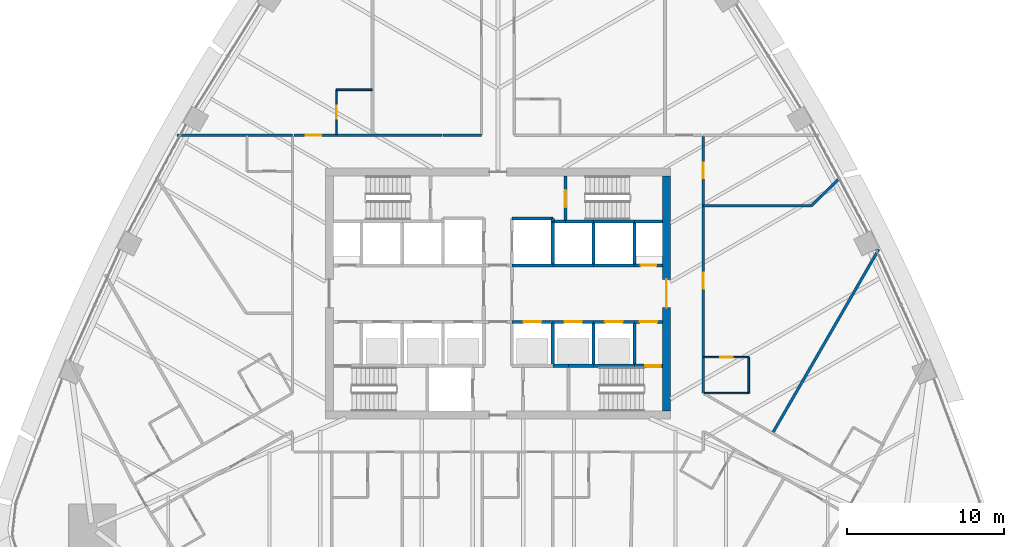
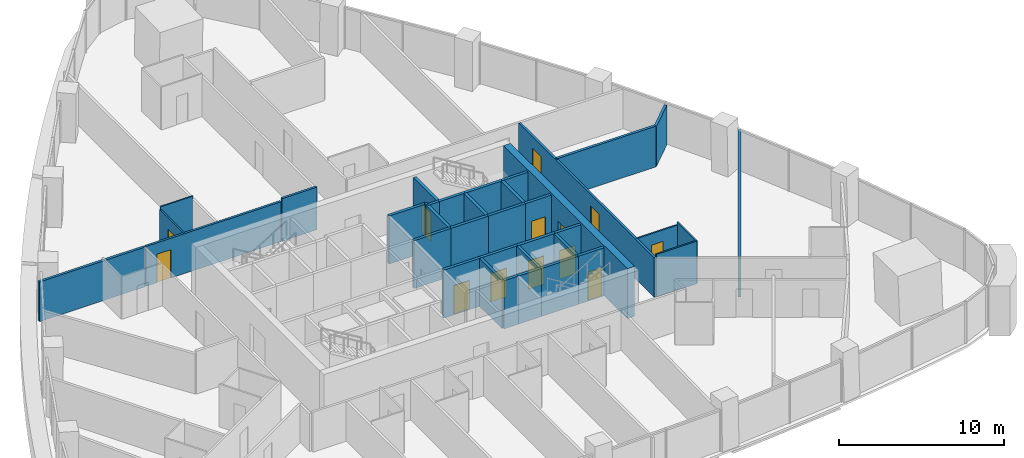
# One storey, part 12 of 17: 38 walls, 13 doors, 13 openings.
"""IFC4 building model written with IfcOpenShell, lengths in metres."""

from ifc_helpers import new_model, si_unit, direction, frame, frame_2d, origin, place, context, subcontext, project, spatial, rectangle, extrude, material, layer, layer_set, type_object, element, fill, save


model = new_model("IFC4")

# Units and contexts
model_context = context("Model", 3, precision=1e-05, world=origin(), true_north=direction((0.0, 1.0)))
body_context = subcontext(model_context, "Body", "Model", "MODEL_VIEW")
ifc_project = project(units=[si_unit("LENGTHUNIT", "METRE"), si_unit("AREAUNIT", "SQUARE_METRE"), si_unit("VOLUMEUNIT", "CUBIC_METRE"), si_unit("PLANEANGLEUNIT", "RADIAN"), si_unit("MASSUNIT", "GRAM", prefix="KILO")], contexts=[model_context])

# Site, building, storey
site_placement = place(None, origin())
site = spatial("IfcSite", under=ifc_project, at=site_placement, CompositionType="ELEMENT")
building_placement = place(site_placement, origin())
building = spatial("IfcBuilding", under=site, at=building_placement, Name="Sierra Prisma Convention Tower", CompositionType="ELEMENT")
storey_placement = place(building_placement, frame((0.0, 0.0, 92.39990234375)))
storey = spatial("IfcBuildingStorey", under=building, at=storey_placement, Name="L19", CompositionType="ELEMENT", Elevation=92.39990234375)

# Wall, opening, door
ifc_material_1 = material(Name="Gypsum board partition", Category="gypsum")
ifc_layer_1 = layer(ifc_material_1, 0.10009765625)
ifc_layer_set_1 = layer_set([ifc_layer_1], Name="Bathroom partition 100")
wall_type_1 = type_object("IfcWallType", Name="Bathroom partition 100", PredefinedType="PARTITIONING", material=ifc_layer_set_1)
wall_1_placement = place(storey_placement, frame((-10.300048828125, 10.1298828125, 0.0), z_axis=(0.0, 0.0, 1.0), x_axis=(0.0, 1.0, 0.0)))
wall_1 = element("IfcWall", 1, at=wall_1_placement, inside=storey, type_object=wall_type_1, Name="Partition L19 bath 12", PredefinedType="PARTITIONING", context=body_context, shape_type="SweptSolid", body=[
    extrude(rectangle(XDim=2.8701171875, YDim=0.10009765625, at=frame_2d((1.43505859375, 0.0))), origin(), (0.0, 0.0, 1.0), 2.947021484375),
])
opening_1_placement = place(wall_1_placement, frame((1.034912109375, 0.0, 0.0)))
opening_1 = element("IfcOpeningElement", 2, at=opening_1_placement, cuts=wall_1, Name="Opening L19-D003", PredefinedType="OPENING", context=body_context, shape_type="SweptSolid", body=[
    extrude(rectangle(XDim=0.800048828125, YDim=2.10009765625, at=frame_2d((0.39990234375, 1.050048828125))), frame((0.0, 0.050048828125, 0.0), z_axis=(0.0, -1.0, 0.0), x_axis=(1.0, 0.0, 0.0)), (0.0, 0.0, 1.0), 0.10009765625),
])
ifc_material_2 = material(Name="Solid core timber door leaf", Category="wood")
door_type_1 = type_object("IfcDoorType", Name="Door 800x2100 plain", OperationType="SINGLE_SWING_LEFT", PredefinedType="DOOR", material=ifc_material_2)
door_1_placement = place(opening_1_placement, origin())
door_1 = element("IfcDoor", 3, at=door_1_placement, inside=storey, type_object=door_type_1, Name="Door L19 8", OperationType="SINGLE_SWING_LEFT", OverallHeight=2.10009765625, OverallWidth=0.800048828125, PredefinedType="DOOR", context=body_context, shape_type="SweptSolid", body=[
    extrude(rectangle(XDim=0.800048828125, YDim=2.10009765625, at=frame_2d((0.39990234375, 1.050048828125))), frame((0.0, 0.02490234375, 0.0), z_axis=(0.0, -1.0, 0.0), x_axis=(1.0, 0.0, 0.0)), (0.0, 0.0, 1.0), 0.050048828125),
])
fill(opening_1, door_1)

# Wall
wall_2_placement = place(storey_placement, frame((-10.300048828125, 13.0, 0.0), z_axis=(0.0, 0.0, 1.0), x_axis=(1.0, 0.0, 0.0)))
element("IfcWall", 4, at=wall_2_placement, inside=storey, type_object=wall_type_1, Name="Partition L19 bath 13", PredefinedType="PARTITIONING", context=body_context, shape_type="SweptSolid", body=[
    extrude(rectangle(XDim=2.27001953125, YDim=0.10009765625, at=frame_2d((1.135009765625, 0.0))), origin(), (0.0, 0.0, 1.0), 3.150146484375),
])

# Wall, opening, door
wall_3_placement = place(storey_placement, frame((13.1298828125, -4.05078125, 0.0), z_axis=(0.0, 0.0, 1.0), x_axis=(1.0, 0.0, 0.0)))
wall_3 = element("IfcWall", 5, at=wall_3_placement, inside=storey, type_object=wall_type_1, Name="Partition L19 bath 28", PredefinedType="PARTITIONING", context=body_context, shape_type="SweptSolid", body=[
    extrude(rectangle(XDim=2.8701171875, YDim=0.10009765625, at=frame_2d((1.43505859375, 0.0))), origin(), (0.0, 0.0, 1.0), 2.947021484375),
])
opening_2_placement = place(wall_3_placement, frame((1.034912109375, 0.0, 0.0)))
opening_2 = element("IfcOpeningElement", 6, at=opening_2_placement, cuts=wall_3, Name="Opening L19-D014", PredefinedType="OPENING", context=body_context, shape_type="SweptSolid", body=[
    extrude(rectangle(XDim=0.800048828125, YDim=2.10009765625, at=frame_2d((0.39990234375, 1.050048828125))), frame((0.0, 0.050048828125, 0.0), z_axis=(0.0, -1.0, 0.0), x_axis=(1.0, 0.0, 0.0)), (0.0, 0.0, 1.0), 0.10009765625),
])
door_2_placement = place(opening_2_placement, origin())
door_2 = element("IfcDoor", 7, at=door_2_placement, inside=storey, type_object=door_type_1, Name="Door L19 33", OperationType="SINGLE_SWING_LEFT", OverallHeight=2.10009765625, OverallWidth=0.800048828125, PredefinedType="DOOR", context=body_context, shape_type="SweptSolid", body=[
    extrude(rectangle(XDim=0.800048828125, YDim=2.10009765625, at=frame_2d((0.39990234375, 1.050048828125))), frame((0.0, 0.02490234375, 0.0), z_axis=(0.0, -1.0, 0.0), x_axis=(1.0, 0.0, 0.0)), (0.0, 0.0, 1.0), 0.050048828125),
])
fill(opening_2, door_2)

# Walls
wall_4_placement = place(storey_placement, frame((16.0, -4.05078125, 0.0), z_axis=(0.0, 0.0, 1.0), x_axis=(0.0, -1.0, 0.0)))
element("IfcWall", 8, at=wall_4_placement, inside=storey, type_object=wall_type_1, Name="Partition L19 bath 29", PredefinedType="PARTITIONING", context=body_context, shape_type="SweptSolid", body=[
    extrude(rectangle(XDim=2.300048828125, YDim=0.10009765625, at=frame_2d((1.14990234375, 0.0))), origin(), (0.0, 0.0, 1.0), 3.150146484375),
])
wall_5_placement = place(storey_placement, frame((16.0, -6.350830078125, 0.0), z_axis=(0.0, 0.0, 1.0), x_axis=(-1.0, 0.0, 0.0)))
element("IfcWall", 9, at=wall_5_placement, inside=storey, type_object=wall_type_1, Name="Partition L19 bath 30", PredefinedType="PARTITIONING", context=body_context, shape_type="SweptSolid", body=[
    extrude(rectangle(XDim=2.840087890625, YDim=0.10009765625, at=frame_2d((1.419921875, 0.0))), origin(), (0.0, 0.0, 1.0), 3.150146484375),
])

# Wall, opening, door
ifc_material_3 = material(Name="Concrete C30/37", Category="concrete")
ifc_layer_2 = layer(ifc_material_3, 0.199951171875)
ifc_layer_set_2 = layer_set([ifc_layer_2], Name="Core wall RC 200 C30/37")
wall_type_2 = type_object("IfcWallType", Name="Core wall RC 200 C30/37", PredefinedType="SOLIDWALL", material=ifc_layer_set_2)
wall_6_placement = place(storey_placement, frame((0.89990234375, -1.800048828125, 0.0), z_axis=(0.0, 0.0, 1.0), x_axis=(1.0, 0.0, 0.0)))
wall_6 = element("IfcWall", 10, at=wall_6_placement, inside=storey, type_object=wall_type_2, Name="Core wall L19 35", PredefinedType="SOLIDWALL", context=body_context, shape_type="SweptSolid", body=[
    extrude(rectangle(XDim=2.60009765625, YDim=0.199951171875, at=frame_2d((1.300048828125, 0.0))), origin(), (0.0, 0.0, 1.0), 3.550048828125),
])
opening_3_placement = place(wall_6_placement, frame((0.75, 0.0, 0.0)))
opening_3 = element("IfcOpeningElement", 11, at=opening_3_placement, cuts=wall_6, Name="Opening L19-D018", PredefinedType="OPENING", context=body_context, shape_type="SweptSolid", body=[
    extrude(rectangle(XDim=1.10009765625, YDim=2.10009765625, at=frame_2d((0.550048828125, 1.050048828125))), frame((0.0, 0.10009765625, 0.0), z_axis=(0.0, -1.0, 0.0), x_axis=(1.0, 0.0, 0.0)), (0.0, 0.0, 1.0), 0.199951171875),
])
ifc_material_4 = material(Name="Steel fire door leaf", Category="steel")
door_type_2 = type_object("IfcDoorType", Name="Door 1100x2100 EI 90 sliding lift landing", OperationType="SLIDING_TO_LEFT", PredefinedType="DOOR", material=ifc_material_4)
door_3_placement = place(opening_3_placement, origin())
door_3 = element("IfcDoor", 12, at=door_3_placement, inside=storey, type_object=door_type_2, Name="Door L19 37", OperationType="SLIDING_TO_RIGHT", OverallHeight=2.10009765625, OverallWidth=1.10009765625, PredefinedType="DOOR", context=body_context, shape_type="SweptSolid", body=[
    extrude(rectangle(XDim=1.10009765625, YDim=2.10009765625, at=frame_2d((0.550048828125, 1.050048828125))), frame((0.0, 0.02490234375, 0.0), z_axis=(0.0, -1.0, 0.0), x_axis=(1.0, 0.0, 0.0)), (0.0, 0.0, 1.0), 0.050048828125),
])
fill(opening_3, door_3)

# Walls
wall_7_placement = place(storey_placement, frame((3.5, 1.800048828125, 0.0), z_axis=(0.0, 0.0, 1.0), x_axis=(-1.0, 0.0, 0.0)))
element("IfcWall", 13, at=wall_7_placement, inside=storey, type_object=wall_type_2, Name="Core wall L19 39", PredefinedType="SOLIDWALL", context=body_context, shape_type="SweptSolid", body=[
    extrude(rectangle(XDim=2.60009765625, YDim=0.199951171875, at=frame_2d((1.300048828125, 0.0))), origin(), (0.0, 0.0, 1.0), 3.550048828125),
])
wall_8_placement = place(storey_placement, frame((3.5, 4.60009765625, 0.0), z_axis=(0.0, 0.0, 1.0), x_axis=(0.0, 1.0, 0.0)))
element("IfcWall", 14, at=wall_8_placement, inside=storey, type_object=wall_type_2, Name="Core wall L19 40", PredefinedType="SOLIDWALL", context=body_context, shape_type="SweptSolid", body=[
    extrude(rectangle(XDim=0.199951171875, YDim=0.199951171875, at=frame_2d((0.10009765625, 0.0))), origin(), (0.0, 0.0, 1.0), 3.550048828125),
])
wall_9_placement = place(storey_placement, frame((3.5, 4.800048828125, 0.0), z_axis=(0.0, 0.0, 1.0), x_axis=(-1.0, 0.0, 0.0)))
element("IfcWall", 15, at=wall_9_placement, inside=storey, type_object=wall_type_2, Name="Core wall L19 41", PredefinedType="SOLIDWALL", context=body_context, shape_type="SweptSolid", body=[
    extrude(rectangle(XDim=2.60009765625, YDim=0.199951171875, at=frame_2d((1.300048828125, 0.0))), origin(), (0.0, 0.0, 1.0), 3.550048828125),
])
wall_10_placement = place(storey_placement, frame((4.5, -4.60009765625, 0.0), z_axis=(0.0, 0.0, 1.0), x_axis=(-1.0, 0.0, 0.0)))
element("IfcWall", 16, at=wall_10_placement, inside=storey, type_object=wall_type_2, Name="Core wall L19 45", PredefinedType="SOLIDWALL", context=body_context, shape_type="SweptSolid", body=[
    extrude(rectangle(XDim=1.0, YDim=0.199951171875, at=frame_2d((0.5, 0.0))), origin(), (0.0, 0.0, 1.0), 3.550048828125),
])
wall_11_placement = place(storey_placement, frame((3.5, -4.60009765625, 0.0), z_axis=(0.0, 0.0, 1.0), x_axis=(0.0, 1.0, 0.0)))
element("IfcWall", 17, at=wall_11_placement, inside=storey, type_object=wall_type_2, Name="Core wall L19 46", PredefinedType="SOLIDWALL", context=body_context, shape_type="SweptSolid", body=[
    extrude(rectangle(XDim=2.800048828125, YDim=0.199951171875, at=frame_2d((1.39990234375, 0.0))), origin(), (0.0, 0.0, 1.0), 3.550048828125),
])

# Wall, opening, door
wall_12_placement = place(storey_placement, frame((3.5, -1.800048828125, 0.0), z_axis=(0.0, 0.0, 1.0), x_axis=(1.0, 0.0, 0.0)))
wall_12 = element("IfcWall", 18, at=wall_12_placement, inside=storey, type_object=wall_type_2, Name="Core wall L19 47", PredefinedType="SOLIDWALL", context=body_context, shape_type="SweptSolid", body=[
    extrude(rectangle(XDim=2.60009765625, YDim=0.199951171875, at=frame_2d((1.300048828125, 0.0))), origin(), (0.0, 0.0, 1.0), 3.550048828125),
])
opening_4_placement = place(wall_12_placement, frame((0.75, 0.0, 0.0)))
opening_4 = element("IfcOpeningElement", 19, at=opening_4_placement, cuts=wall_12, Name="Opening L19-D019", PredefinedType="OPENING", context=body_context, shape_type="SweptSolid", body=[
    extrude(rectangle(XDim=1.10009765625, YDim=2.10009765625, at=frame_2d((0.550048828125, 1.050048828125))), frame((0.0, 0.10009765625, 0.0), z_axis=(0.0, -1.0, 0.0), x_axis=(1.0, 0.0, 0.0)), (0.0, 0.0, 1.0), 0.199951171875),
])
door_4_placement = place(opening_4_placement, origin())
door_4 = element("IfcDoor", 20, at=door_4_placement, inside=storey, type_object=door_type_2, Name="Door L19 38", OperationType="SLIDING_TO_RIGHT", OverallHeight=2.10009765625, OverallWidth=1.10009765625, PredefinedType="DOOR", context=body_context, shape_type="SweptSolid", body=[
    extrude(rectangle(XDim=1.10009765625, YDim=2.10009765625, at=frame_2d((0.550048828125, 1.050048828125))), frame((0.0, 0.02490234375, 0.0), z_axis=(0.0, -1.0, 0.0), x_axis=(1.0, 0.0, 0.0)), (0.0, 0.0, 1.0), 0.050048828125),
])
fill(opening_4, door_4)

# Walls
wall_13_placement = place(storey_placement, frame((6.10009765625, 1.800048828125, 0.0), z_axis=(0.0, 0.0, 1.0), x_axis=(-1.0, 0.0, 0.0)))
element("IfcWall", 21, at=wall_13_placement, inside=storey, type_object=wall_type_2, Name="Core wall L19 48", PredefinedType="SOLIDWALL", context=body_context, shape_type="SweptSolid", body=[
    extrude(rectangle(XDim=2.60009765625, YDim=0.199951171875, at=frame_2d((1.300048828125, 0.0))), origin(), (0.0, 0.0, 1.0), 3.550048828125),
])
wall_14_placement = place(storey_placement, frame((3.5, 1.800048828125, 0.0), z_axis=(0.0, 0.0, 1.0), x_axis=(0.0, 1.0, 0.0)))
element("IfcWall", 22, at=wall_14_placement, inside=storey, type_object=wall_type_2, Name="Core wall L19 49", PredefinedType="SOLIDWALL", context=body_context, shape_type="SweptSolid", body=[
    extrude(rectangle(XDim=2.800048828125, YDim=0.199951171875, at=frame_2d((1.39990234375, 0.0))), origin(), (0.0, 0.0, 1.0), 3.550048828125),
])
wall_15_placement = place(storey_placement, frame((4.300048828125, 4.60009765625, 0.0), z_axis=(0.0, 0.0, 1.0), x_axis=(-1.0, 0.0, 0.0)))
element("IfcWall", 23, at=wall_15_placement, inside=storey, type_object=wall_type_2, Name="Core wall L19 50", PredefinedType="SOLIDWALL", context=body_context, shape_type="SweptSolid", body=[
    extrude(rectangle(XDim=0.800048828125, YDim=0.199951171875, at=frame_2d((0.39990234375, 0.0))), origin(), (0.0, 0.0, 1.0), 3.550048828125),
])
wall_16_placement = place(storey_placement, frame((6.10009765625, 4.60009765625, 0.0), z_axis=(0.0, 0.0, 1.0), x_axis=(-1.0, 0.0, 0.0)))
element("IfcWall", 24, at=wall_16_placement, inside=storey, type_object=wall_type_2, Name="Core wall L19 51", PredefinedType="SOLIDWALL", context=body_context, shape_type="SweptSolid", body=[
    extrude(rectangle(XDim=1.800048828125, YDim=0.199951171875, at=frame_2d((0.89990234375, 0.0))), origin(), (0.0, 0.0, 1.0), 3.550048828125),
])

# Wall, opening, door
wall_17_placement = place(storey_placement, frame((4.300048828125, 7.5, 0.0), z_axis=(0.0, 0.0, 1.0), x_axis=(0.0, -1.0, 0.0)))
wall_17 = element("IfcWall", 25, at=wall_17_placement, inside=storey, type_object=wall_type_2, Name="Core wall L19 52", PredefinedType="SOLIDWALL", context=body_context, shape_type="SweptSolid", body=[
    extrude(rectangle(XDim=2.89990234375, YDim=0.199951171875, at=frame_2d((1.449951171875, 0.0))), origin(), (0.0, 0.0, 1.0), 3.550048828125),
])
opening_5_placement = place(wall_17_placement, frame((0.89990234375, 0.0, 0.0)))
opening_5 = element("IfcOpeningElement", 26, at=opening_5_placement, cuts=wall_17, Name="Opening L19-D035", PredefinedType="OPENING", context=body_context, shape_type="SweptSolid", body=[
    extrude(rectangle(XDim=1.10009765625, YDim=2.10009765625, at=frame_2d((0.550048828125, 1.050048828125))), frame((0.0, 0.10009765625, 0.0), z_axis=(0.0, -1.0, 0.0), x_axis=(1.0, 0.0, 0.0)), (0.0, 0.0, 1.0), 0.199951171875),
])
ifc_material_5 = material(Name="Steel fire door leaf", Category="steel")
door_type_3 = type_object("IfcDoorType", Name="Door 1100x2100 FD90S", OperationType="SINGLE_SWING_LEFT", PredefinedType="DOOR", material=ifc_material_5)
door_5_placement = place(opening_5_placement, origin())
door_5 = element("IfcDoor", 27, at=door_5_placement, inside=storey, type_object=door_type_3, Name="Door L19 54", OperationType="SINGLE_SWING_LEFT", OverallHeight=2.10009765625, OverallWidth=1.10009765625, PredefinedType="DOOR", context=body_context, shape_type="SweptSolid", body=[
    extrude(rectangle(XDim=1.10009765625, YDim=2.10009765625, at=frame_2d((0.550048828125, 1.050048828125))), frame((0.0, 0.02490234375, 0.0), z_axis=(0.0, -1.0, 0.0), x_axis=(1.0, 0.0, 0.0)), (0.0, 0.0, 1.0), 0.050048828125),
])
fill(opening_5, door_5)

# Walls
wall_18_placement = place(storey_placement, frame((4.5, -4.60009765625, 0.0), z_axis=(0.0, 0.0, 1.0), x_axis=(1.0, 0.0, 0.0)))
element("IfcWall", 28, at=wall_18_placement, inside=storey, type_object=wall_type_2, Name="Core wall L19 54", PredefinedType="SOLIDWALL", context=body_context, shape_type="SweptSolid", body=[
    extrude(rectangle(XDim=1.60009765625, YDim=0.199951171875, at=frame_2d((0.800048828125, 0.0))), origin(), (0.0, 0.0, 1.0), 3.550048828125),
])
wall_19_placement = place(storey_placement, frame((6.10009765625, -4.60009765625, 0.0), z_axis=(0.0, 0.0, 1.0), x_axis=(1.0, 0.0, 0.0)))
element("IfcWall", 29, at=wall_19_placement, inside=storey, type_object=wall_type_2, Name="Core wall L19 55", PredefinedType="SOLIDWALL", context=body_context, shape_type="SweptSolid", body=[
    extrude(rectangle(XDim=2.599853515625, YDim=0.199951171875, at=frame_2d((1.2998046875, 0.0))), origin(), (0.0, 0.0, 1.0), 3.550048828125),
])
wall_20_placement = place(storey_placement, frame((6.10009765625, -4.60009765625, 0.0), z_axis=(0.0, 0.0, 1.0), x_axis=(0.0, 1.0, 0.0)))
element("IfcWall", 30, at=wall_20_placement, inside=storey, type_object=wall_type_2, Name="Core wall L19 56", PredefinedType="SOLIDWALL", context=body_context, shape_type="SweptSolid", body=[
    extrude(rectangle(XDim=2.800048828125, YDim=0.199951171875, at=frame_2d((1.39990234375, 0.0))), origin(), (0.0, 0.0, 1.0), 3.550048828125),
])

# Wall, opening, door
wall_21_placement = place(storey_placement, frame((6.10009765625, -1.800048828125, 0.0), z_axis=(0.0, 0.0, 1.0), x_axis=(1.0, 0.0, 0.0)))
wall_21 = element("IfcWall", 31, at=wall_21_placement, inside=storey, type_object=wall_type_2, Name="Core wall L19 57", PredefinedType="SOLIDWALL", context=body_context, shape_type="SweptSolid", body=[
    extrude(rectangle(XDim=2.599853515625, YDim=0.199951171875, at=frame_2d((1.2998046875, 0.0))), origin(), (0.0, 0.0, 1.0), 3.550048828125),
])
opening_6_placement = place(wall_21_placement, frame((0.75, 0.0, 0.0)))
opening_6 = element("IfcOpeningElement", 32, at=opening_6_placement, cuts=wall_21, Name="Opening L19-D020", PredefinedType="OPENING", context=body_context, shape_type="SweptSolid", body=[
    extrude(rectangle(XDim=1.10009765625, YDim=2.10009765625, at=frame_2d((0.550048828125, 1.050048828125))), frame((0.0, 0.10009765625, 0.0), z_axis=(0.0, -1.0, 0.0), x_axis=(1.0, 0.0, 0.0)), (0.0, 0.0, 1.0), 0.199951171875),
])
door_6_placement = place(opening_6_placement, origin())
door_6 = element("IfcDoor", 33, at=door_6_placement, inside=storey, type_object=door_type_2, Name="Door L19 39", OperationType="SLIDING_TO_LEFT", OverallHeight=2.10009765625, OverallWidth=1.10009765625, PredefinedType="DOOR", context=body_context, shape_type="SweptSolid", body=[
    extrude(rectangle(XDim=1.10009765625, YDim=2.10009765625, at=frame_2d((0.550048828125, 1.050048828125))), frame((0.0, 0.02490234375, 0.0), z_axis=(0.0, -1.0, 0.0), x_axis=(1.0, 0.0, 0.0)), (0.0, 0.0, 1.0), 0.050048828125),
])
fill(opening_6, door_6)

# Walls
wall_22_placement = place(storey_placement, frame((8.699951171875, 1.800048828125, 0.0), z_axis=(0.0, 0.0, 1.0), x_axis=(-1.0, 0.0, 0.0)))
element("IfcWall", 34, at=wall_22_placement, inside=storey, type_object=wall_type_2, Name="Core wall L19 58", PredefinedType="SOLIDWALL", context=body_context, shape_type="SweptSolid", body=[
    extrude(rectangle(XDim=2.599853515625, YDim=0.199951171875, at=frame_2d((1.2998046875, 0.0))), origin(), (0.0, 0.0, 1.0), 3.550048828125),
])
wall_23_placement = place(storey_placement, frame((6.10009765625, 1.800048828125, 0.0), z_axis=(0.0, 0.0, 1.0), x_axis=(0.0, 1.0, 0.0)))
element("IfcWall", 35, at=wall_23_placement, inside=storey, type_object=wall_type_2, Name="Core wall L19 59", PredefinedType="SOLIDWALL", context=body_context, shape_type="SweptSolid", body=[
    extrude(rectangle(XDim=2.800048828125, YDim=0.199951171875, at=frame_2d((1.39990234375, 0.0))), origin(), (0.0, 0.0, 1.0), 3.550048828125),
])
wall_24_placement = place(storey_placement, frame((8.699951171875, 4.60009765625, 0.0), z_axis=(0.0, 0.0, 1.0), x_axis=(-1.0, 0.0, 0.0)))
element("IfcWall", 36, at=wall_24_placement, inside=storey, type_object=wall_type_2, Name="Core wall L19 60", PredefinedType="SOLIDWALL", context=body_context, shape_type="SweptSolid", body=[
    extrude(rectangle(XDim=2.599853515625, YDim=0.199951171875, at=frame_2d((1.2998046875, 0.0))), origin(), (0.0, 0.0, 1.0), 3.550048828125),
])

# Wall, opening, door
wall_25_placement = place(storey_placement, frame((8.699951171875, -4.60009765625, 0.0), z_axis=(0.0, 0.0, 1.0), x_axis=(1.0, 0.0, 0.0)))
wall_25 = element("IfcWall", 37, at=wall_25_placement, inside=storey, type_object=wall_type_2, Name="Core wall L19 61", PredefinedType="SOLIDWALL", context=body_context, shape_type="SweptSolid", body=[
    extrude(rectangle(XDim=1.800048828125, YDim=0.199951171875, at=frame_2d((0.89990234375, 0.0))), origin(), (0.0, 0.0, 1.0), 3.550048828125),
])
opening_7_placement = place(wall_25_placement, frame((0.699951171875, 0.0, 0.0)))
opening_7 = element("IfcOpeningElement", 38, at=opening_7_placement, cuts=wall_25, Name="Opening L19-D033", PredefinedType="OPENING", context=body_context, shape_type="SweptSolid", body=[
    extrude(rectangle(XDim=1.0, YDim=2.10009765625, at=frame_2d((0.5, 1.050048828125))), frame((0.0, 0.10009765625, 0.0), z_axis=(0.0, -1.0, 0.0), x_axis=(1.0, 0.0, 0.0)), (0.0, 0.0, 1.0), 0.199951171875),
])
ifc_material_6 = material(Name="Steel fire door leaf", Category="steel")
door_type_4 = type_object("IfcDoorType", Name="Door 1000x2100 FD90S", OperationType="SINGLE_SWING_LEFT", PredefinedType="DOOR", material=ifc_material_6)
door_7_placement = place(opening_7_placement, origin())
door_7 = element("IfcDoor", 39, at=door_7_placement, inside=storey, type_object=door_type_4, Name="Door L19 52", OperationType="SINGLE_SWING_RIGHT", OverallHeight=2.10009765625, OverallWidth=1.0, PredefinedType="DOOR", context=body_context, shape_type="SweptSolid", body=[
    extrude(rectangle(XDim=1.0, YDim=2.10009765625, at=frame_2d((0.5, 1.050048828125))), frame((0.0, 0.02490234375, 0.0), z_axis=(0.0, -1.0, 0.0), x_axis=(1.0, 0.0, 0.0)), (0.0, 0.0, 1.0), 0.050048828125),
])
fill(opening_7, door_7)

# Wall
wall_26_placement = place(storey_placement, frame((8.699951171875, -1.800048828125, 0.0), z_axis=(0.0, 0.0, 1.0), x_axis=(0.0, -1.0, 0.0)))
element("IfcWall", 40, at=wall_26_placement, inside=storey, type_object=wall_type_2, Name="Core wall L19 62", PredefinedType="SOLIDWALL", context=body_context, shape_type="SweptSolid", body=[
    extrude(rectangle(XDim=2.800048828125, YDim=0.199951171875, at=frame_2d((1.39990234375, 0.0))), origin(), (0.0, 0.0, 1.0), 3.550048828125),
])

# Wall, opening, door
wall_27_placement = place(storey_placement, frame((8.699951171875, -1.800048828125, 0.0), z_axis=(0.0, 0.0, 1.0), x_axis=(1.0, 0.0, 0.0)))
wall_27 = element("IfcWall", 41, at=wall_27_placement, inside=storey, type_object=wall_type_2, Name="Core wall L19 63", PredefinedType="SOLIDWALL", context=body_context, shape_type="SweptSolid", body=[
    extrude(rectangle(XDim=1.800048828125, YDim=0.199951171875, at=frame_2d((0.89990234375, 0.0))), origin(), (0.0, 0.0, 1.0), 3.550048828125),
])
opening_8_placement = place(wall_27_placement, frame((0.35009765625, 0.0, 0.0)))
opening_8 = element("IfcOpeningElement", 42, at=opening_8_placement, cuts=wall_27, Name="Opening L19-D027", PredefinedType="OPENING", context=body_context, shape_type="SweptSolid", body=[
    extrude(rectangle(XDim=1.10009765625, YDim=2.10009765625, at=frame_2d((0.550048828125, 1.050048828125))), frame((0.0, 0.10009765625, 0.0), z_axis=(0.0, -1.0, 0.0), x_axis=(1.0, 0.0, 0.0)), (0.0, 0.0, 1.0), 0.199951171875),
])
door_8_placement = place(opening_8_placement, origin())
door_8 = element("IfcDoor", 43, at=door_8_placement, inside=storey, type_object=door_type_3, Name="Door L19 46", OperationType="SINGLE_SWING_RIGHT", OverallHeight=2.10009765625, OverallWidth=1.10009765625, PredefinedType="DOOR", context=body_context, shape_type="SweptSolid", body=[
    extrude(rectangle(XDim=1.10009765625, YDim=2.10009765625, at=frame_2d((0.550048828125, 1.050048828125))), frame((0.0, 0.02490234375, 0.0), z_axis=(0.0, -1.0, 0.0), x_axis=(1.0, 0.0, 0.0)), (0.0, 0.0, 1.0), 0.050048828125),
])
fill(opening_8, door_8)

wall_28_placement = place(storey_placement, frame((10.5, 1.800048828125, 0.0), z_axis=(0.0, 0.0, 1.0), x_axis=(-1.0, 0.0, 0.0)))
wall_28 = element("IfcWall", 44, at=wall_28_placement, inside=storey, type_object=wall_type_2, Name="Core wall L19 64", PredefinedType="SOLIDWALL", context=body_context, shape_type="SweptSolid", body=[
    extrude(rectangle(XDim=1.800048828125, YDim=0.199951171875, at=frame_2d((0.89990234375, 0.0))), origin(), (0.0, 0.0, 1.0), 3.550048828125),
])
opening_9_placement = place(wall_28_placement, frame((0.39990234375, 0.0, 0.0)))
opening_9 = element("IfcOpeningElement", 45, at=opening_9_placement, cuts=wall_28, Name="Opening L19-D031", PredefinedType="OPENING", context=body_context, shape_type="SweptSolid", body=[
    extrude(rectangle(XDim=1.0, YDim=2.10009765625, at=frame_2d((0.5, 1.050048828125))), frame((0.0, 0.10009765625, 0.0), z_axis=(0.0, -1.0, 0.0), x_axis=(1.0, 0.0, 0.0)), (0.0, 0.0, 1.0), 0.199951171875),
])
ifc_material_7 = material(Name="Steel fire door leaf", Category="steel")
door_type_5 = type_object("IfcDoorType", Name="Door 1000x2100 FD60S", OperationType="SINGLE_SWING_LEFT", PredefinedType="DOOR", material=ifc_material_7)
door_9_placement = place(opening_9_placement, origin())
door_9 = element("IfcDoor", 46, at=door_9_placement, inside=storey, type_object=door_type_5, Name="Door L19 50", OperationType="SINGLE_SWING_RIGHT", OverallHeight=2.10009765625, OverallWidth=1.0, PredefinedType="DOOR", context=body_context, shape_type="SweptSolid", body=[
    extrude(rectangle(XDim=1.0, YDim=2.10009765625, at=frame_2d((0.5, 1.050048828125))), frame((0.0, 0.02490234375, 0.0), z_axis=(0.0, -1.0, 0.0), x_axis=(1.0, 0.0, 0.0)), (0.0, 0.0, 1.0), 0.050048828125),
])
fill(opening_9, door_9)

# Walls
wall_29_placement = place(storey_placement, frame((8.699951171875, 4.60009765625, 0.0), z_axis=(0.0, 0.0, 1.0), x_axis=(0.0, -1.0, 0.0)))
element("IfcWall", 47, at=wall_29_placement, inside=storey, type_object=wall_type_2, Name="Core wall L19 65", PredefinedType="SOLIDWALL", context=body_context, shape_type="SweptSolid", body=[
    extrude(rectangle(XDim=2.800048828125, YDim=0.199951171875, at=frame_2d((1.39990234375, 0.0))), origin(), (0.0, 0.0, 1.0), 3.550048828125),
])
wall_30_placement = place(storey_placement, frame((10.5, 4.60009765625, 0.0), z_axis=(0.0, 0.0, 1.0), x_axis=(-1.0, 0.0, 0.0)))
element("IfcWall", 48, at=wall_30_placement, inside=storey, type_object=wall_type_2, Name="Core wall L19 66", PredefinedType="SOLIDWALL", context=body_context, shape_type="SweptSolid", body=[
    extrude(rectangle(XDim=1.800048828125, YDim=0.199951171875, at=frame_2d((0.89990234375, 0.0))), origin(), (0.0, 0.0, 1.0), 3.550048828125),
])

# Wall, opening, door
ifc_material_8 = material(Name="Concrete C60/75", Category="concrete")
ifc_layer_3 = layer(ifc_material_8, 0.5)
ifc_layer_set_3 = layer_set([ifc_layer_3], Name="Core wall RC 500 C60/75")
wall_type_3 = type_object("IfcWallType", Name="Core wall RC 500 C60/75", PredefinedType="SHEAR", material=ifc_layer_set_3)
wall_31_placement = place(storey_placement, frame((10.75, -7.5, 0.0), z_axis=(0.0, 0.0, 1.0), x_axis=(0.0, 1.0, 0.0)))
wall_31 = element("IfcWall", 49, at=wall_31_placement, inside=storey, type_object=wall_type_3, Name="Core wall E L19", PredefinedType="SHEAR", context=body_context, shape_type="SweptSolid", body=[
    extrude(rectangle(XDim=15.0, YDim=0.5, at=frame_2d((7.5, 0.0))), origin(), (0.0, 0.0, 1.0), 3.7001953125),
])
opening_10_placement = place(wall_31_placement, frame((6.60009765625, 0.0, 0.0)))
opening_10 = element("IfcOpeningElement", 50, at=opening_10_placement, cuts=wall_31, Name="Opening L19-D056", PredefinedType="OPENING", context=body_context, shape_type="SweptSolid", body=[
    extrude(rectangle(XDim=1.800048828125, YDim=2.10009765625, at=frame_2d((0.89990234375, 1.050048828125))), frame((0.0, 0.25, 0.0), z_axis=(0.0, -1.0, 0.0), x_axis=(1.0, 0.0, 0.0)), (0.0, 0.0, 1.0), 0.5),
])
ifc_material_9 = material(Name="Steel fire door leaf", Category="steel")
door_type_6 = type_object("IfcDoorType", Name="Door 1800x2100 FD60S", OperationType="DOUBLE_DOOR_SINGLE_SWING", PredefinedType="DOOR", material=ifc_material_9)
door_10_placement = place(opening_10_placement, origin())
door_10 = element("IfcDoor", 51, at=door_10_placement, inside=storey, type_object=door_type_6, Name="Door L19 57", OperationType="DOUBLE_DOOR_SINGLE_SWING", OverallHeight=2.10009765625, OverallWidth=1.800048828125, PredefinedType="DOOR", context=body_context, shape_type="SweptSolid", body=[
    extrude(rectangle(XDim=1.800048828125, YDim=2.10009765625, at=frame_2d((0.89990234375, 1.050048828125))), frame((0.0, 0.02490234375, 0.0), z_axis=(0.0, -1.0, 0.0), x_axis=(1.0, 0.0, 0.0)), (0.0, 0.0, 1.0), 0.050048828125),
])
fill(opening_10, door_10)

ifc_material_10 = material(Name="Gypsum board partition", Category="gypsum")
ifc_layer_4 = layer(ifc_material_10, 0.14990234375)
ifc_layer_set_4 = layer_set([ifc_layer_4], Name="Corridor wall 150 gypsum EI 60")
wall_type_4 = type_object("IfcWallType", Name="Corridor wall 150 gypsum EI 60", PredefinedType="PARTITIONING", material=ifc_layer_set_4)
wall_32_placement = place(storey_placement, frame((-3.580078125, 10.10009765625, 0.0), z_axis=(0.0, 0.0, 1.0), x_axis=(-1.0, 0.0, 0.0)))
wall_32 = element("IfcWall", 52, at=wall_32_placement, inside=storey, type_object=wall_type_4, Name="Partition L19 corr 7", PredefinedType="PARTITIONING", context=body_context, shape_type="SweptSolid", body=[
    extrude(rectangle(XDim=9.43994140625, YDim=0.14990234375, at=frame_2d((4.719970703125, 0.0))), origin(), (0.0, 0.0, 1.0), 2.947021484375),
])
opening_11_placement = place(wall_32_placement, frame((7.679931640625, 0.0, 0.0)))
opening_11 = element("IfcOpeningElement", 53, at=opening_11_placement, cuts=wall_32, Name="Opening L19-D041", PredefinedType="OPENING", context=body_context, shape_type="SweptSolid", body=[
    extrude(rectangle(XDim=1.0, YDim=2.10009765625, at=frame_2d((0.5, 1.050048828125))), frame((0.0, 0.074951171875, 0.0), z_axis=(0.0, -1.0, 0.0), x_axis=(1.0, 0.0, 0.0)), (0.0, 0.0, 1.0), 0.14990234375),
])
ifc_material_11 = material(Name="Steel fire door leaf", Category="steel")
door_type_7 = type_object("IfcDoorType", Name="Door 1000x2100 FD30S", OperationType="SINGLE_SWING_LEFT", PredefinedType="DOOR", material=ifc_material_11)
door_11_placement = place(opening_11_placement, origin())
door_11 = element("IfcDoor", 54, at=door_11_placement, inside=storey, type_object=door_type_7, Name="Door L19 7", OperationType="SINGLE_SWING_RIGHT", OverallHeight=2.10009765625, OverallWidth=1.0, PredefinedType="DOOR", context=body_context, shape_type="SweptSolid", body=[
    extrude(rectangle(XDim=1.0, YDim=2.10009765625, at=frame_2d((0.5, 1.050048828125))), frame((0.0, 0.02490234375, 0.0), z_axis=(0.0, -1.0, 0.0), x_axis=(1.0, 0.0, 0.0)), (0.0, 0.0, 1.0), 0.050048828125),
])
fill(opening_11, door_11)

# Wall
wall_33_placement = place(storey_placement, frame((-1.050048828125, 10.10009765625, 0.0), z_axis=(0.0, 0.0, 1.0), x_axis=(-1.0, 0.0, 0.0)))
element("IfcWall", 55, at=wall_33_placement, inside=storey, type_object=wall_type_4, Name="Partition L19 corr 9", PredefinedType="PARTITIONING", context=body_context, shape_type="SweptSolid", body=[
    extrude(rectangle(XDim=2.449951171875, YDim=0.14990234375, at=frame_2d((1.22509765625, 0.0))), origin(), (0.0, 0.0, 1.0), 3.150146484375),
])

# Wall, openings, doors
wall_34_placement = place(storey_placement, frame((13.10009765625, -6.350830078125, 0.0), z_axis=(0.0, 0.0, 1.0), x_axis=(0.0, 1.0, 0.0)))
wall_34 = element("IfcWall", 56, at=wall_34_placement, inside=storey, type_object=wall_type_4, Name="Partition L19 corr 16", PredefinedType="PARTITIONING", context=body_context, shape_type="SweptSolid", body=[
    extrude(rectangle(XDim=16.370849609375, YDim=0.14990234375, at=frame_2d((8.185546875, 0.0))), origin(), (0.0, 0.0, 1.0), 2.947021484375),
])
opening_12_placement = place(wall_34_placement, frame((13.700927734375, 0.0, 0.0)))
opening_12 = element("IfcOpeningElement", 57, at=opening_12_placement, cuts=wall_34, Name="Opening L19-D037", PredefinedType="OPENING", context=body_context, shape_type="SweptSolid", body=[
    extrude(rectangle(XDim=1.0, YDim=2.10009765625, at=frame_2d((0.5, 1.050048828125))), frame((0.0, 0.074951171875, 0.0), z_axis=(0.0, -1.0, 0.0), x_axis=(1.0, 0.0, 0.0)), (0.0, 0.0, 1.0), 0.14990234375),
])
opening_13_placement = place(wall_34_placement, frame((6.675537109375, 0.0, 0.0)))
opening_13 = element("IfcOpeningElement", 58, at=opening_13_placement, cuts=wall_34, Name="Opening L19-D055", PredefinedType="OPENING", context=body_context, shape_type="SweptSolid", body=[
    extrude(rectangle(XDim=1.0, YDim=2.10009765625, at=frame_2d((0.5, 1.050048828125))), frame((0.0, 0.074951171875, 0.0), z_axis=(0.0, -1.0, 0.0), x_axis=(1.0, 0.0, 0.0)), (0.0, 0.0, 1.0), 0.14990234375),
])
door_12_placement = place(opening_12_placement, origin())
door_12 = element("IfcDoor", 59, at=door_12_placement, inside=storey, type_object=door_type_7, Name="Door L19 1", OperationType="SINGLE_SWING_RIGHT", OverallHeight=2.10009765625, OverallWidth=1.0, PredefinedType="DOOR", context=body_context, shape_type="SweptSolid", body=[
    extrude(rectangle(XDim=1.0, YDim=2.10009765625, at=frame_2d((0.5, 1.050048828125))), frame((0.0, 0.02490234375, 0.0), z_axis=(0.0, -1.0, 0.0), x_axis=(1.0, 0.0, 0.0)), (0.0, 0.0, 1.0), 0.050048828125),
])
fill(opening_12, door_12)
door_13_placement = place(opening_13_placement, origin())
door_13 = element("IfcDoor", 60, at=door_13_placement, inside=storey, type_object=door_type_7, Name="Door L19 32", OperationType="SINGLE_SWING_LEFT", OverallHeight=2.10009765625, OverallWidth=1.0, PredefinedType="DOOR", context=body_context, shape_type="SweptSolid", body=[
    extrude(rectangle(XDim=1.0, YDim=2.10009765625, at=frame_2d((0.5, 1.050048828125))), frame((0.0, 0.02490234375, 0.0), z_axis=(0.0, -1.0, 0.0), x_axis=(1.0, 0.0, 0.0)), (0.0, 0.0, 1.0), 0.050048828125),
])
fill(opening_13, door_13)

# Walls
ifc_material_12 = material(Name="Acoustic gypsum board partition", Category="gypsum")
ifc_layer_5 = layer(ifc_material_12, 0.175048828125)
ifc_layer_set_5 = layer_set([ifc_layer_5], Name="Guest room party wall 175 acoustic EI 60")
wall_type_5 = type_object("IfcWallType", Name="Guest room party wall 175 acoustic EI 60", PredefinedType="PARTITIONING", material=ifc_layer_set_5)
wall_35_placement = place(storey_placement, frame((-13.10009765625, 10.10009765625, 0.0), z_axis=(0.0, 0.0, 1.0), x_axis=(-1.0, 0.0, 0.0)))
element("IfcWall", 61, at=wall_35_placement, inside=storey, type_object=wall_type_5, Name="Partition L19 hparty 6", PredefinedType="PARTITIONING", context=body_context, shape_type="SweptSolid", body=[
    extrude(rectangle(XDim=7.3671875, YDim=0.175048828125, at=frame_2d((3.68359375, 0.0))), origin(), (0.0, 0.0, 1.0), 2.93408203125),
])
wall_36_placement = place(storey_placement, frame((13.10009765625, 5.60009765625, 0.0), z_axis=(0.0, 0.0, 1.0), x_axis=(1.0, 0.0, 0.0)))
element("IfcWall", 62, at=wall_36_placement, inside=storey, type_object=wall_type_5, Name="Partition L19 hparty 18", PredefinedType="PARTITIONING", context=body_context, shape_type="SweptSolid", body=[
    extrude(rectangle(XDim=6.899658203125, YDim=0.175048828125, at=frame_2d((3.44970703125, 0.0))), origin(), (0.0, 0.0, 1.0), 3.01708984375),
])
wall_37_placement = place(storey_placement, frame((19.999755859375, 5.60009765625, 0.0), z_axis=(0.0, 0.0, 1.0), x_axis=(0.712635597267, 0.701534393675, 0.0)))
element("IfcWall", 63, at=wall_37_placement, inside=storey, type_object=wall_type_5, Name="Partition L19 hparty 19", PredefinedType="PARTITIONING", context=body_context, shape_type="SweptSolid", body=[
    extrude(rectangle(XDim=2.375244140625, YDim=0.175048828125, at=frame_2d((1.1875, 0.0))), origin(), (0.0, 0.0, 1.0), 2.93408203125),
])
wall_38_placement = place(storey_placement, frame((17.5166015625, -8.90087890625, 0.0), z_axis=(0.0, 0.0, 1.0), x_axis=(0.500006156857, 0.866021849092, 0.0)))
element("IfcWall", 64, at=wall_38_placement, inside=storey, type_object=wall_type_5, Name="Partition L19 hparty 21", PredefinedType="PARTITIONING", context=body_context, shape_type="SweptSolid", body=[
    extrude(rectangle(XDim=13.532470703125, YDim=0.175048828125, at=frame_2d((6.76611328125, 0.0))), origin(), (0.0, 0.0, 1.0), 2.93408203125),
])

save(model, "model.ifc")
